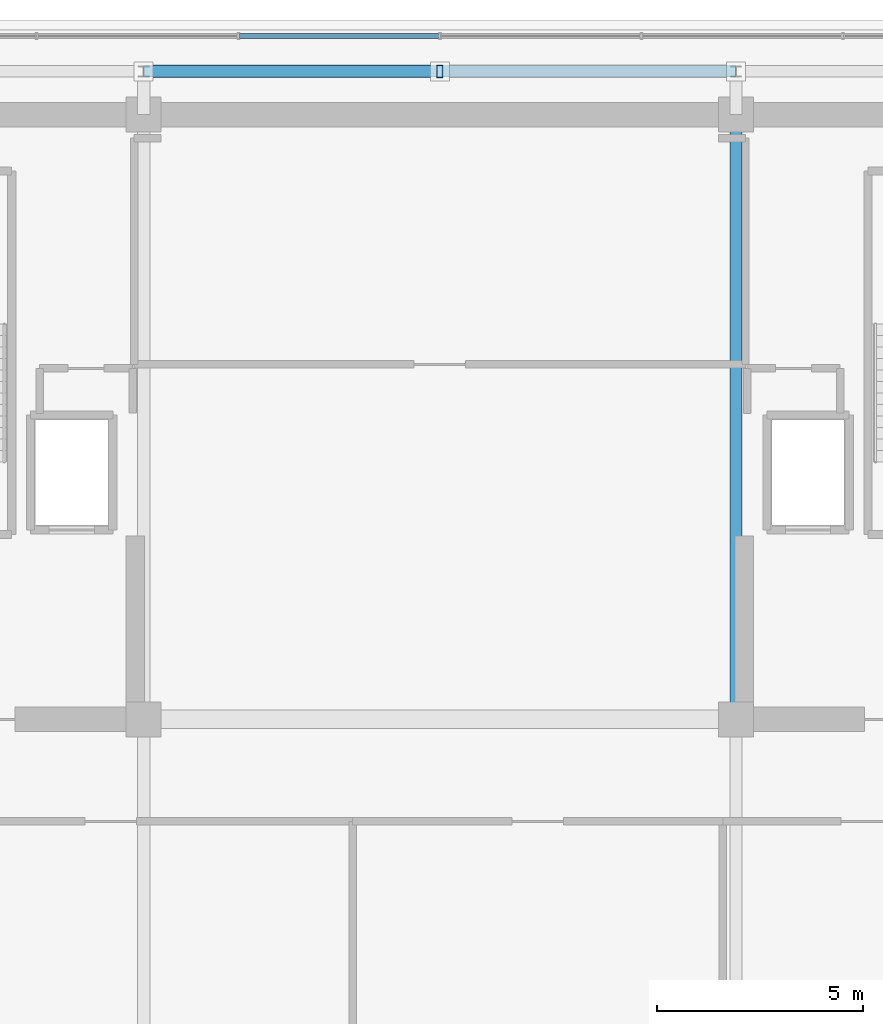
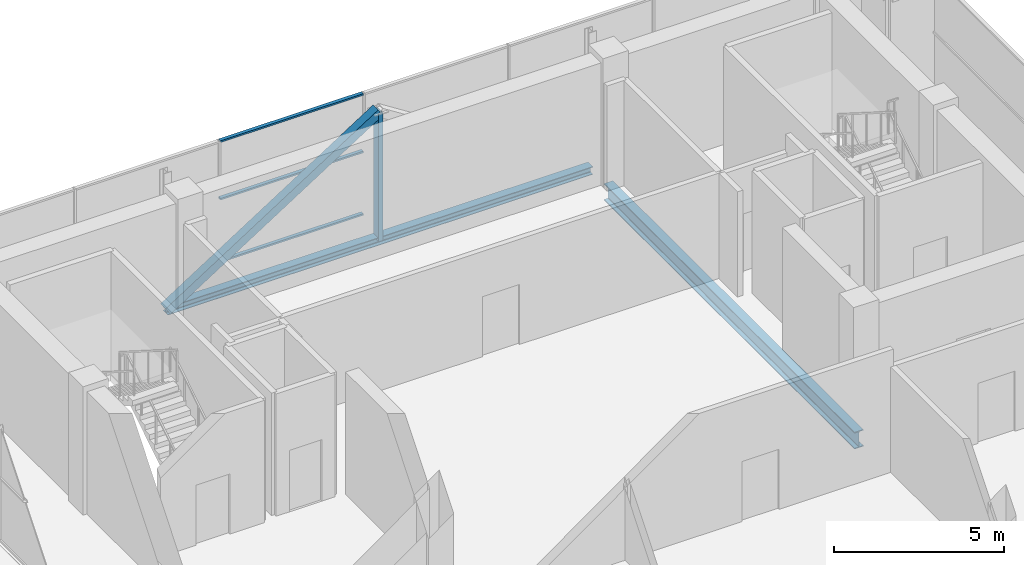
# One storey, part 16 of 27: 5 members, 2 beams, 1 element without a shape of its own.
"""IFC4 building model written with IfcOpenShell, lengths in metres."""

from ifc_helpers import new_model, si_unit, direction, frame, origin, origin_2d, place, context, subcontext, project, spatial, hollow_rectangle, i_section, extrude, source, transform, mapped, material, layer, layer_set, material_profile, profile_set, type_object, element, aggregate, save


model = new_model("IFC4")

# Units and contexts
model_context = context("Model", 3, precision=1e-05, world=origin(), true_north=direction((0.0, 1.0)))
body_context = subcontext(model_context, "Body", "Model", "MODEL_VIEW")
ifc_project = project(units=[si_unit("LENGTHUNIT", "METRE"), si_unit("AREAUNIT", "SQUARE_METRE"), si_unit("VOLUMEUNIT", "CUBIC_METRE"), si_unit("PLANEANGLEUNIT", "RADIAN"), si_unit("MASSUNIT", "GRAM", prefix="KILO")], contexts=[model_context])

# Site, building, storey
site_placement = place(None, origin())
site = spatial("IfcSite", under=ifc_project, at=site_placement, CompositionType="ELEMENT")
building_placement = place(site_placement, origin())
building = spatial("IfcBuilding", under=site, at=building_placement, Name="Zarnakvel Exchange Tower", CompositionType="ELEMENT")
storey_placement = place(building_placement, frame((0.0, 0.0, 294.60009765625)))
storey = spatial("IfcBuildingStorey", under=building, at=storey_placement, Name="Crown L82", CompositionType="ELEMENT", Elevation=294.60009765625)

# Beams
ifc_material_1 = material(Name="Steel S355", Category="steel")
ifc_material_profile_1 = material_profile(ifc_material_1, i_section(OverallWidth=0.300048828125, OverallDepth=0.60009765625, WebThickness=0.015380859375, FlangeThickness=0.030029296875, FilletRadius=0.027099609375, at=origin_2d()))
ifc_profile_set_1 = profile_set([ifc_material_profile_1], Name="Steel S355")
beam_type_1 = type_object("IfcBeamType", Name="G-04", PredefinedType="BEAM", material=ifc_profile_set_1)
beam_1_placement = place(storey_placement, frame((7.199951171875, -1.199951171875, -0.52001953125), z_axis=(0.0, 1.0, 0.0), x_axis=(-1.0, 0.0, 0.0)))
element("IfcBeam", 1, at=beam_1_placement, inside=storey, type_object=beam_type_1, Name="Crown L82 Tower N-S Frame Beam", PredefinedType="BEAM", context=body_context, shape_type="SweptSolid", body=[
    extrude(i_section(OverallWidth=0.300048828125, OverallDepth=0.60009765625, WebThickness=0.015380859375, FlangeThickness=0.030029296875, FilletRadius=0.027099609375, at=origin_2d()), origin(), (0.0, 0.0, 1.0), 14.699951171875),
])
ifc_material_profile_2 = material_profile(ifc_material_1, i_section(OverallWidth=0.280029296875, OverallDepth=0.280029296875, WebThickness=0.010498046875, FlangeThickness=0.01806640625, FilletRadius=0.02392578125, at=origin_2d()))
ifc_profile_set_2 = profile_set([ifc_material_profile_2], Name="Steel S355")
beam_type_2 = type_object("IfcBeamType", Name="SP-04", PredefinedType="SPANDREL", material=ifc_profile_set_2)
beam_2_placement = place(storey_placement, frame((-7.199951171875, 14.550048828125, -0.360107421875), z_axis=(1.0, 0.0, 0.0), x_axis=(0.0, 1.0, 0.0)))
element("IfcBeam", 2, at=beam_2_placement, inside=storey, type_object=beam_type_2, Name="Crown L82 Tower E-W Frame Beam", PredefinedType="SPANDREL", context=body_context, shape_type="SweptSolid", body=[
    extrude(i_section(OverallWidth=0.280029296875, OverallDepth=0.280029296875, WebThickness=0.010498046875, FlangeThickness=0.01806640625, FilletRadius=0.02392578125, at=origin_2d()), origin(), (0.0, 0.0, 1.0), 14.39990234375),
])

# Members
ifc_material_profile_3 = material_profile(ifc_material_1, hollow_rectangle(XDim=0.300048828125, YDim=0.300048828125, WallThickness=0.01611328125, at=origin_2d()))
ifc_profile_set_3 = profile_set([ifc_material_profile_3], Name="Steel S355")
member_type_1 = type_object("IfcMemberType", Name="CB-BR2", PredefinedType="BRACE", material=ifc_profile_set_3)
shared_shape_1 = source(origin(), body_context, "Body", "SweptSolid", [
    extrude(hollow_rectangle(XDim=0.300048828125, YDim=0.300048828125, WallThickness=0.01611328125, at=origin_2d()), origin(), (0.0, 0.0, 1.0), 8.5439453125),
])
member_1_placement = place(storey_placement, frame((-7.199951171875, 14.550048828125, -0.360107421875), z_axis=(0.842689417531, 0.0, 0.53839998661), x_axis=(0.0, 1.0, 0.0)))
element("IfcMember", 3, at=member_1_placement, inside=storey, type_object=member_type_1, Name="Crown L82 Crown Chevron Brace L (CB-BR2)", PredefinedType="BRACE", context=body_context, shape_type="MappedRepresentation", body=[
    mapped(shared_shape_1, transform((0.0, 0.0, 0.0), x_axis=(1.0, 0.0, 0.0), y_axis=(0.0, 1.0, 0.0), z_axis=(0.0, 0.0, 1.0), scale=1.0)),
])
ifc_material_profile_4 = material_profile(ifc_material_1, hollow_rectangle(XDim=0.14990234375, YDim=0.300048828125, WallThickness=0.012451171875, at=origin_2d()))
ifc_profile_set_4 = profile_set([ifc_material_profile_4], Name="Steel S355")
member_type_2 = type_object("IfcMemberType", Name="CB-ST2", PredefinedType="STRUT", material=ifc_profile_set_4)
shared_shape_2 = source(origin(), body_context, "Body", "SweptSolid", [
    extrude(hollow_rectangle(XDim=0.14990234375, YDim=0.300048828125, WallThickness=0.012451171875, at=origin_2d()), origin(), (0.0, 0.0, 1.0), 4.60009765625),
])
member_2_placement = place(storey_placement, frame((0.0, 14.550048828125, -0.360107421875), z_axis=(0.0, 0.0, 1.0), x_axis=(1.0, 0.0, 0.0)))
element("IfcMember", 4, at=member_2_placement, inside=storey, type_object=member_type_2, Name="Crown L82 Crown Frame Post (CB-ST2)", PredefinedType="STRUT", context=body_context, shape_type="MappedRepresentation", body=[
    mapped(shared_shape_2, transform((0.0, 0.0, 0.0), x_axis=(1.0, 0.0, 0.0), y_axis=(0.0, 1.0, 0.0), z_axis=(0.0, 0.0, 1.0), scale=1.0)),
])

# Curtain wall, members
ifc_material_2 = material(Name="Architectural Bronze Anodised Aluminium", Category="aluminium")
ifc_layer = layer(ifc_material_2, 0.14990234375)
ifc_layer_set = layer_set([ifc_layer], Name="Architectural Bronze Anodised Aluminium")
curtain_wall_type = type_object("IfcCurtainWallType", Name="CW-07", PredefinedType="NOTDEFINED", material=ifc_layer_set)
curtain_wall_placement = place(storey_placement, origin())
curtain_wall = element("IfcCurtainWall", 5, at=curtain_wall_placement, inside=storey, type_object=curtain_wall_type, Name="Crown L82 Curtain Wall CW-Crown L82-N (CW-07)", PredefinedType="NOTDEFINED")
ifc_material_profile_5 = material_profile(ifc_material_2, hollow_rectangle(XDim=0.1201171875, YDim=0.06005859375, WallThickness=0.00390625, at=origin_2d()))
ifc_profile_set_5 = profile_set([ifc_material_profile_5], Name="Architectural Bronze Anodised Aluminium")
member_type_3 = type_object("IfcMemberType", Name="CWT-07", PredefinedType="USERDEFINED", material=ifc_profile_set_5)
shared_shape_3 = source(origin(), body_context, "Body", "SweptSolid", [
    extrude(hollow_rectangle(XDim=0.1201171875, YDim=0.06005859375, WallThickness=0.00390625, at=origin_2d()), origin(), (0.0, 0.0, 1.0), 4.840087890625),
])
member_3_placement = place(storey_placement, frame((-4.8701171875, 15.409912109375, 0.02978515625), z_axis=(1.0, 0.0, 0.0), x_axis=(0.0, 1.0, 0.0)))
member_3 = element("IfcMember", 6, at=member_3_placement, type_object=member_type_3, Name="CW-07 transom 3.1", ObjectType="TRANSOM", PredefinedType="USERDEFINED", context=body_context, shape_type="MappedRepresentation", body=[
    mapped(shared_shape_3, transform((0.0, 0.0, 0.0), x_axis=(1.0, 0.0, 0.0), y_axis=(0.0, 1.0, 0.0), z_axis=(0.0, 0.0, 1.0), scale=1.0)),
])
member_4_placement = place(storey_placement, frame((-4.8701171875, 15.409912109375, 2.26708984375), z_axis=(1.0, 0.0, 0.0), x_axis=(0.0, 1.0, 0.0)))
member_4 = element("IfcMember", 7, at=member_4_placement, type_object=member_type_3, Name="CW-07 transom 3.2", ObjectType="TRANSOM", PredefinedType="USERDEFINED", context=body_context, shape_type="MappedRepresentation", body=[
    mapped(shared_shape_3, transform((0.0, 0.0, 0.0), x_axis=(1.0, 0.0, 0.0), y_axis=(0.0, 1.0, 0.0), z_axis=(0.0, 0.0, 1.0), scale=1.0)),
])
member_5_placement = place(storey_placement, frame((-4.8701171875, 15.409912109375, 4.329833984375), z_axis=(1.0, 0.0, 0.0), x_axis=(0.0, 1.0, 0.0)))
member_5 = element("IfcMember", 8, at=member_5_placement, type_object=member_type_3, Name="CW-07 transom 3.3", ObjectType="TRANSOM", PredefinedType="USERDEFINED", context=body_context, shape_type="MappedRepresentation", body=[
    mapped(shared_shape_3, transform((0.0, 0.0, 0.0), x_axis=(1.0, 0.0, 0.0), y_axis=(0.0, 1.0, 0.0), z_axis=(0.0, 0.0, 1.0), scale=1.0)),
])
aggregate(curtain_wall, [member_3, member_4, member_5])

save(model, "model.ifc")
